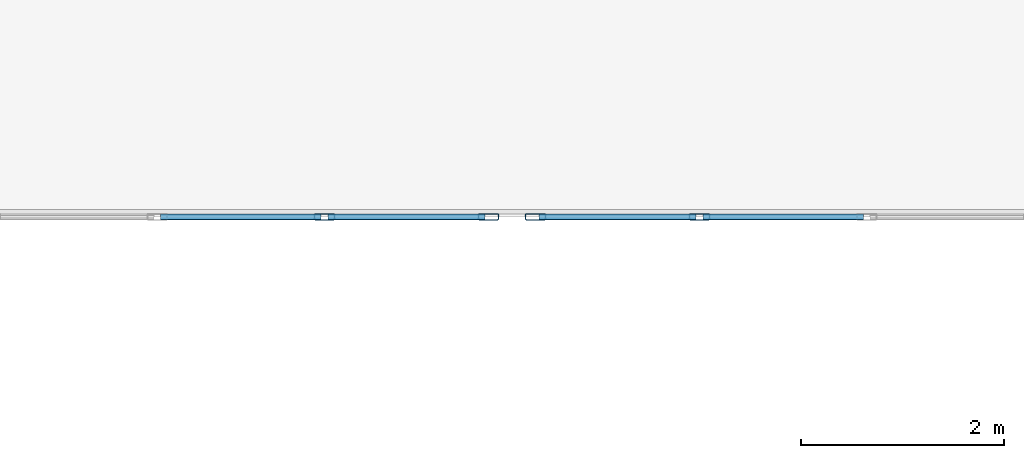
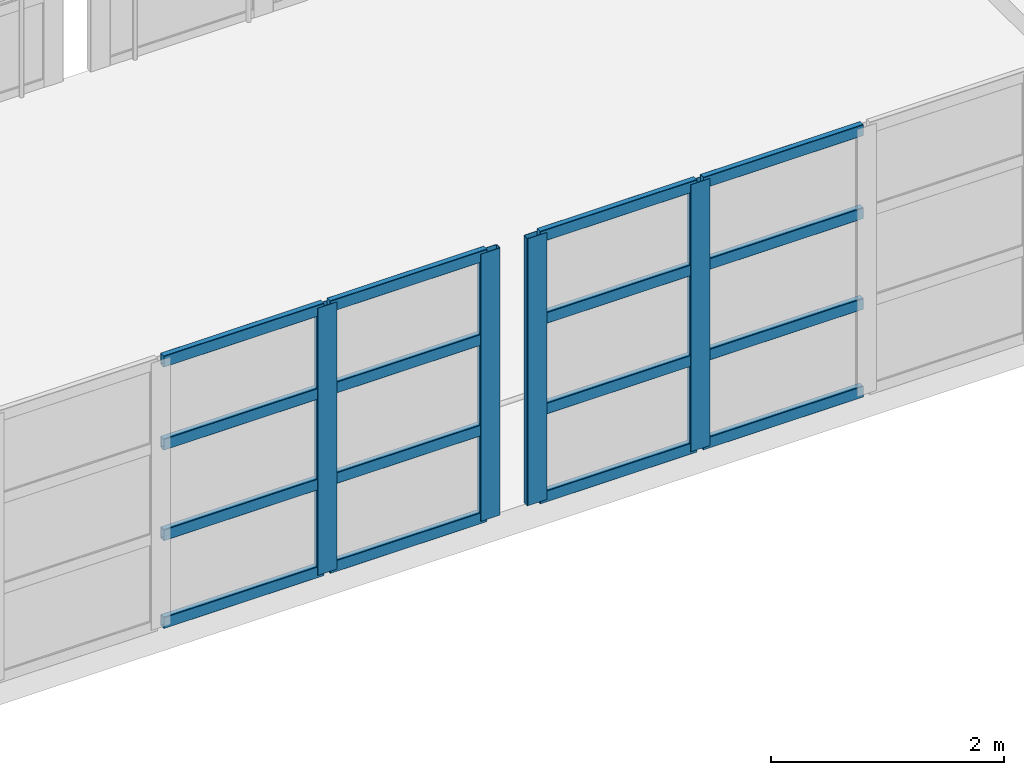
# One storey, part 12 of 132: 20 members, 2 elements without a shape of their own.
"""IFC4 building model written with IfcOpenShell, lengths in metres."""

from ifc_helpers import new_model, si_unit, direction, frame, origin, origin_2d, place, context, subcontext, project, spatial, hollow_rectangle, extrude, material, material_profile, profile_set, type_object, element, aggregate, save


model = new_model("IFC4")

# Units and contexts
model_context = context("Model", 3, precision=1e-05, world=origin(), true_north=direction((0.0, 1.0)))
body_context = subcontext(model_context, "Body", "Model", "MODEL_VIEW")
ifc_project = project(units=[si_unit("LENGTHUNIT", "METRE"), si_unit("AREAUNIT", "SQUARE_METRE"), si_unit("VOLUMEUNIT", "CUBIC_METRE"), si_unit("PLANEANGLEUNIT", "RADIAN"), si_unit("MASSUNIT", "GRAM", prefix="KILO")], contexts=[model_context])

# Site, building, storey
site_placement = place(None, origin())
site = spatial("IfcSite", under=ifc_project, at=site_placement, CompositionType="ELEMENT")
building_placement = place(site_placement, origin())
building = spatial("IfcBuilding", under=site, at=building_placement, Name="Qasida Concert Hall", CompositionType="ELEMENT")
storey_placement = place(building_placement, frame((0.0, 0.0, 4.800048828125)))
storey = spatial("IfcBuildingStorey", under=building, at=storey_placement, Name="L01", CompositionType="ELEMENT", Elevation=4.800048828125)

# Curtain wall, members
ifc_material_1 = material(Name="Architectural bronze-anodized aluminium and low-E glass", Category="aluminium")
curtain_wall_type = type_object("IfcCurtainWallType", Name="CW-08", PredefinedType="NOTDEFINED", material=ifc_material_1)
curtain_wall_1_placement = place(storey_placement, origin())
curtain_wall_1 = element("IfcCurtainWall", 1, at=curtain_wall_1_placement, inside=storey, type_object=curtain_wall_type, Name="L01 link bridge glazing 0198", PredefinedType="NOTDEFINED")
ifc_material_2 = material(Name="Architectural bronze-anodized aluminium EN AW-6063", Category="aluminium")
ifc_material_profile_1 = material_profile(ifc_material_2, hollow_rectangle(XDim=0.06494140625, YDim=0.199951171875, WallThickness=0.0048828125, InnerFilletRadius=0.0048828125, OuterFilletRadius=0.010009765625, at=origin_2d()), Name="CWM 200x65x5")
ifc_profile_set_1 = profile_set([ifc_material_profile_1], Name="Architectural bronze-anodized aluminium EN AW-6063")
member_type_1 = type_object("IfcMemberType", Name="MB-CWM-2", PredefinedType="MULLION", material=ifc_profile_set_1)
member_1_placement = place(storey_placement, frame((43.14990234375, 30.0, 0.0), z_axis=(0.0, 0.0, 1.0), x_axis=(0.0, 1.0, 0.0)))
member_1 = element("IfcMember", 2, at=member_1_placement, type_object=member_type_1, Name="CW-08 mullion 4", PredefinedType="MULLION", context=body_context, shape_type="SweptSolid", body=[
    extrude(hollow_rectangle(XDim=0.06494140625, YDim=0.199951171875, WallThickness=0.0048828125, InnerFilletRadius=0.0048828125, OuterFilletRadius=0.010009765625, at=origin_2d()), origin(), (0.0, 0.0, 1.0), 2.800048828125),
])
member_2_placement = place(storey_placement, frame((44.767578125, 30.0, 0.0), z_axis=(0.0, 0.0, 1.0), x_axis=(0.0, 1.0, 0.0)))
member_2 = element("IfcMember", 3, at=member_2_placement, type_object=member_type_1, Name="CW-08 mullion 5", PredefinedType="MULLION", context=body_context, shape_type="SweptSolid", body=[
    extrude(hollow_rectangle(XDim=0.06494140625, YDim=0.199951171875, WallThickness=0.0048828125, InnerFilletRadius=0.0048828125, OuterFilletRadius=0.010009765625, at=origin_2d()), origin(), (0.0, 0.0, 1.0), 2.800048828125),
])

curtain_wall_2_placement = place(storey_placement, origin())
curtain_wall_2 = element("IfcCurtainWall", 4, at=curtain_wall_2_placement, inside=storey, type_object=curtain_wall_type, Name="L01 link bridge glazing 0200", PredefinedType="NOTDEFINED")
member_3_placement = place(storey_placement, frame((45.232421875, 30.0, 0.0), z_axis=(0.0, 0.0, 1.0), x_axis=(0.0, 1.0, 0.0)))
member_3 = element("IfcMember", 5, at=member_3_placement, type_object=member_type_1, Name="CW-08 mullion 1", PredefinedType="MULLION", context=body_context, shape_type="SweptSolid", body=[
    extrude(hollow_rectangle(XDim=0.06494140625, YDim=0.199951171875, WallThickness=0.0048828125, InnerFilletRadius=0.0048828125, OuterFilletRadius=0.010009765625, at=origin_2d()), origin(), (0.0, 0.0, 1.0), 2.800048828125),
])
member_4_placement = place(storey_placement, frame((46.85009765625, 30.0, 0.0), z_axis=(0.0, 0.0, 1.0), x_axis=(0.0, 1.0, 0.0)))
member_4 = element("IfcMember", 6, at=member_4_placement, type_object=member_type_1, Name="CW-08 mullion 2", PredefinedType="MULLION", context=body_context, shape_type="SweptSolid", body=[
    extrude(hollow_rectangle(XDim=0.06494140625, YDim=0.199951171875, WallThickness=0.0048828125, InnerFilletRadius=0.0048828125, OuterFilletRadius=0.010009765625, at=origin_2d()), origin(), (0.0, 0.0, 1.0), 2.800048828125),
])

# Member
ifc_material_profile_2 = material_profile(ifc_material_2, hollow_rectangle(XDim=0.06005859375, YDim=0.1201171875, WallThickness=0.00390625, InnerFilletRadius=0.00390625, OuterFilletRadius=0.008056640625, at=origin_2d()), Name="CWT 120x60x4")
ifc_profile_set_2 = profile_set([ifc_material_profile_2], Name="Architectural bronze-anodized aluminium EN AW-6063")
member_type_2 = type_object("IfcMemberType", Name="MB-CWT-2", PredefinedType="USERDEFINED", material=ifc_profile_set_2)
member_5_placement = place(storey_placement, frame((41.532470703125, 30.0, 0.030029296875), z_axis=(1.0, 0.0, 0.0), x_axis=(0.0, 1.0, 0.0)))
member_5 = element("IfcMember", 7, at=member_5_placement, type_object=member_type_2, Name="CW-08 transom 3.1", ObjectType="TRANSOM", PredefinedType="USERDEFINED", context=body_context, shape_type="SweptSolid", body=[
    extrude(hollow_rectangle(XDim=0.06005859375, YDim=0.1201171875, WallThickness=0.00390625, InnerFilletRadius=0.00390625, OuterFilletRadius=0.008056640625, at=origin_2d()), origin(), (0.0, 0.0, 1.0), 1.5849609375),
])

member_6_placement = place(storey_placement, frame((41.532470703125, 30.0, 0.949951171875), z_axis=(1.0, 0.0, 0.0), x_axis=(0.0, 1.0, 0.0)))
member_6 = element("IfcMember", 8, at=member_6_placement, type_object=member_type_2, Name="CW-08 transom 3.2", ObjectType="TRANSOM", PredefinedType="USERDEFINED", context=body_context, shape_type="SweptSolid", body=[
    extrude(hollow_rectangle(XDim=0.06005859375, YDim=0.1201171875, WallThickness=0.00390625, InnerFilletRadius=0.00390625, OuterFilletRadius=0.008056640625, at=origin_2d()), origin(), (0.0, 0.0, 1.0), 1.5849609375),
])

member_7_placement = place(storey_placement, frame((41.532470703125, 30.0, 1.89990234375), z_axis=(1.0, 0.0, 0.0), x_axis=(0.0, 1.0, 0.0)))
member_7 = element("IfcMember", 9, at=member_7_placement, type_object=member_type_2, Name="CW-08 transom 3.3", ObjectType="TRANSOM", PredefinedType="USERDEFINED", context=body_context, shape_type="SweptSolid", body=[
    extrude(hollow_rectangle(XDim=0.06005859375, YDim=0.1201171875, WallThickness=0.00390625, InnerFilletRadius=0.00390625, OuterFilletRadius=0.008056640625, at=origin_2d()), origin(), (0.0, 0.0, 1.0), 1.5849609375),
])

member_8_placement = place(storey_placement, frame((41.532470703125, 30.0, 2.77001953125), z_axis=(1.0, 0.0, 0.0), x_axis=(0.0, 1.0, 0.0)))
member_8 = element("IfcMember", 10, at=member_8_placement, type_object=member_type_2, Name="CW-08 transom 3.4", ObjectType="TRANSOM", PredefinedType="USERDEFINED", context=body_context, shape_type="SweptSolid", body=[
    extrude(hollow_rectangle(XDim=0.06005859375, YDim=0.1201171875, WallThickness=0.00390625, InnerFilletRadius=0.00390625, OuterFilletRadius=0.008056640625, at=origin_2d()), origin(), (0.0, 0.0, 1.0), 1.5849609375),
])

member_9_placement = place(storey_placement, frame((43.1826171875, 30.0, 0.030029296875), z_axis=(1.0, 0.0, 0.0), x_axis=(0.0, 1.0, 0.0)))
member_9 = element("IfcMember", 11, at=member_9_placement, type_object=member_type_2, Name="CW-08 transom 4.1", ObjectType="TRANSOM", PredefinedType="USERDEFINED", context=body_context, shape_type="SweptSolid", body=[
    extrude(hollow_rectangle(XDim=0.06005859375, YDim=0.1201171875, WallThickness=0.00390625, InnerFilletRadius=0.00390625, OuterFilletRadius=0.008056640625, at=origin_2d()), origin(), (0.0, 0.0, 1.0), 1.552490234375),
])

member_10_placement = place(storey_placement, frame((43.1826171875, 30.0, 0.949951171875), z_axis=(1.0, 0.0, 0.0), x_axis=(0.0, 1.0, 0.0)))
member_10 = element("IfcMember", 12, at=member_10_placement, type_object=member_type_2, Name="CW-08 transom 4.2", ObjectType="TRANSOM", PredefinedType="USERDEFINED", context=body_context, shape_type="SweptSolid", body=[
    extrude(hollow_rectangle(XDim=0.06005859375, YDim=0.1201171875, WallThickness=0.00390625, InnerFilletRadius=0.00390625, OuterFilletRadius=0.008056640625, at=origin_2d()), origin(), (0.0, 0.0, 1.0), 1.552490234375),
])

member_11_placement = place(storey_placement, frame((43.1826171875, 30.0, 1.89990234375), z_axis=(1.0, 0.0, 0.0), x_axis=(0.0, 1.0, 0.0)))
member_11 = element("IfcMember", 13, at=member_11_placement, type_object=member_type_2, Name="CW-08 transom 4.3", ObjectType="TRANSOM", PredefinedType="USERDEFINED", context=body_context, shape_type="SweptSolid", body=[
    extrude(hollow_rectangle(XDim=0.06005859375, YDim=0.1201171875, WallThickness=0.00390625, InnerFilletRadius=0.00390625, OuterFilletRadius=0.008056640625, at=origin_2d()), origin(), (0.0, 0.0, 1.0), 1.552490234375),
])

member_12_placement = place(storey_placement, frame((43.1826171875, 30.0, 2.77001953125), z_axis=(1.0, 0.0, 0.0), x_axis=(0.0, 1.0, 0.0)))
member_12 = element("IfcMember", 14, at=member_12_placement, type_object=member_type_2, Name="CW-08 transom 4.4", ObjectType="TRANSOM", PredefinedType="USERDEFINED", context=body_context, shape_type="SweptSolid", body=[
    extrude(hollow_rectangle(XDim=0.06005859375, YDim=0.1201171875, WallThickness=0.00390625, InnerFilletRadius=0.00390625, OuterFilletRadius=0.008056640625, at=origin_2d()), origin(), (0.0, 0.0, 1.0), 1.552490234375),
])

aggregate(curtain_wall_1, [member_1, member_2, member_5, member_6, member_7, member_8, member_9, member_10, member_11, member_12])

member_13_placement = place(storey_placement, frame((45.264892578125, 30.0, 0.030029296875), z_axis=(1.0, 0.0, 0.0), x_axis=(0.0, 1.0, 0.0)))
member_13 = element("IfcMember", 15, at=member_13_placement, type_object=member_type_2, Name="CW-08 transom 1.1", ObjectType="TRANSOM", PredefinedType="USERDEFINED", context=body_context, shape_type="SweptSolid", body=[
    extrude(hollow_rectangle(XDim=0.06005859375, YDim=0.1201171875, WallThickness=0.00390625, InnerFilletRadius=0.00390625, OuterFilletRadius=0.008056640625, at=origin_2d()), origin(), (0.0, 0.0, 1.0), 1.552490234375),
])

member_14_placement = place(storey_placement, frame((45.264892578125, 30.0, 0.949951171875), z_axis=(1.0, 0.0, 0.0), x_axis=(0.0, 1.0, 0.0)))
member_14 = element("IfcMember", 16, at=member_14_placement, type_object=member_type_2, Name="CW-08 transom 1.2", ObjectType="TRANSOM", PredefinedType="USERDEFINED", context=body_context, shape_type="SweptSolid", body=[
    extrude(hollow_rectangle(XDim=0.06005859375, YDim=0.1201171875, WallThickness=0.00390625, InnerFilletRadius=0.00390625, OuterFilletRadius=0.008056640625, at=origin_2d()), origin(), (0.0, 0.0, 1.0), 1.552490234375),
])

member_15_placement = place(storey_placement, frame((45.264892578125, 30.0, 1.89990234375), z_axis=(1.0, 0.0, 0.0), x_axis=(0.0, 1.0, 0.0)))
member_15 = element("IfcMember", 17, at=member_15_placement, type_object=member_type_2, Name="CW-08 transom 1.3", ObjectType="TRANSOM", PredefinedType="USERDEFINED", context=body_context, shape_type="SweptSolid", body=[
    extrude(hollow_rectangle(XDim=0.06005859375, YDim=0.1201171875, WallThickness=0.00390625, InnerFilletRadius=0.00390625, OuterFilletRadius=0.008056640625, at=origin_2d()), origin(), (0.0, 0.0, 1.0), 1.552490234375),
])

member_16_placement = place(storey_placement, frame((45.264892578125, 30.0, 2.77001953125), z_axis=(1.0, 0.0, 0.0), x_axis=(0.0, 1.0, 0.0)))
member_16 = element("IfcMember", 18, at=member_16_placement, type_object=member_type_2, Name="CW-08 transom 1.4", ObjectType="TRANSOM", PredefinedType="USERDEFINED", context=body_context, shape_type="SweptSolid", body=[
    extrude(hollow_rectangle(XDim=0.06005859375, YDim=0.1201171875, WallThickness=0.00390625, InnerFilletRadius=0.00390625, OuterFilletRadius=0.008056640625, at=origin_2d()), origin(), (0.0, 0.0, 1.0), 1.552490234375),
])

member_17_placement = place(storey_placement, frame((46.882568359375, 30.0, 0.030029296875), z_axis=(1.0, 0.0, 0.0), x_axis=(0.0, 1.0, 0.0)))
member_17 = element("IfcMember", 19, at=member_17_placement, type_object=member_type_2, Name="CW-08 transom 2.1", ObjectType="TRANSOM", PredefinedType="USERDEFINED", context=body_context, shape_type="SweptSolid", body=[
    extrude(hollow_rectangle(XDim=0.06005859375, YDim=0.1201171875, WallThickness=0.00390625, InnerFilletRadius=0.00390625, OuterFilletRadius=0.008056640625, at=origin_2d()), origin(), (0.0, 0.0, 1.0), 1.5849609375),
])

member_18_placement = place(storey_placement, frame((46.882568359375, 30.0, 0.949951171875), z_axis=(1.0, 0.0, 0.0), x_axis=(0.0, 1.0, 0.0)))
member_18 = element("IfcMember", 20, at=member_18_placement, type_object=member_type_2, Name="CW-08 transom 2.2", ObjectType="TRANSOM", PredefinedType="USERDEFINED", context=body_context, shape_type="SweptSolid", body=[
    extrude(hollow_rectangle(XDim=0.06005859375, YDim=0.1201171875, WallThickness=0.00390625, InnerFilletRadius=0.00390625, OuterFilletRadius=0.008056640625, at=origin_2d()), origin(), (0.0, 0.0, 1.0), 1.5849609375),
])

member_19_placement = place(storey_placement, frame((46.882568359375, 30.0, 1.89990234375), z_axis=(1.0, 0.0, 0.0), x_axis=(0.0, 1.0, 0.0)))
member_19 = element("IfcMember", 21, at=member_19_placement, type_object=member_type_2, Name="CW-08 transom 2.3", ObjectType="TRANSOM", PredefinedType="USERDEFINED", context=body_context, shape_type="SweptSolid", body=[
    extrude(hollow_rectangle(XDim=0.06005859375, YDim=0.1201171875, WallThickness=0.00390625, InnerFilletRadius=0.00390625, OuterFilletRadius=0.008056640625, at=origin_2d()), origin(), (0.0, 0.0, 1.0), 1.5849609375),
])

member_20_placement = place(storey_placement, frame((46.882568359375, 30.0, 2.77001953125), z_axis=(1.0, 0.0, 0.0), x_axis=(0.0, 1.0, 0.0)))
member_20 = element("IfcMember", 22, at=member_20_placement, type_object=member_type_2, Name="CW-08 transom 2.4", ObjectType="TRANSOM", PredefinedType="USERDEFINED", context=body_context, shape_type="SweptSolid", body=[
    extrude(hollow_rectangle(XDim=0.06005859375, YDim=0.1201171875, WallThickness=0.00390625, InnerFilletRadius=0.00390625, OuterFilletRadius=0.008056640625, at=origin_2d()), origin(), (0.0, 0.0, 1.0), 1.5849609375),
])

aggregate(curtain_wall_2, [member_3, member_4, member_13, member_14, member_15, member_16, member_17, member_18, member_19, member_20])

save(model, "model.ifc")
